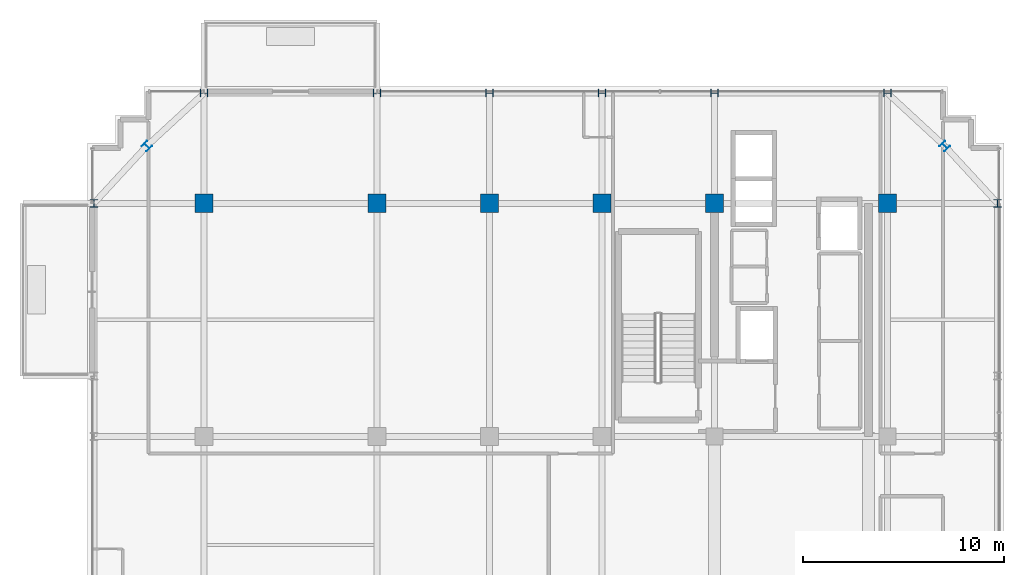
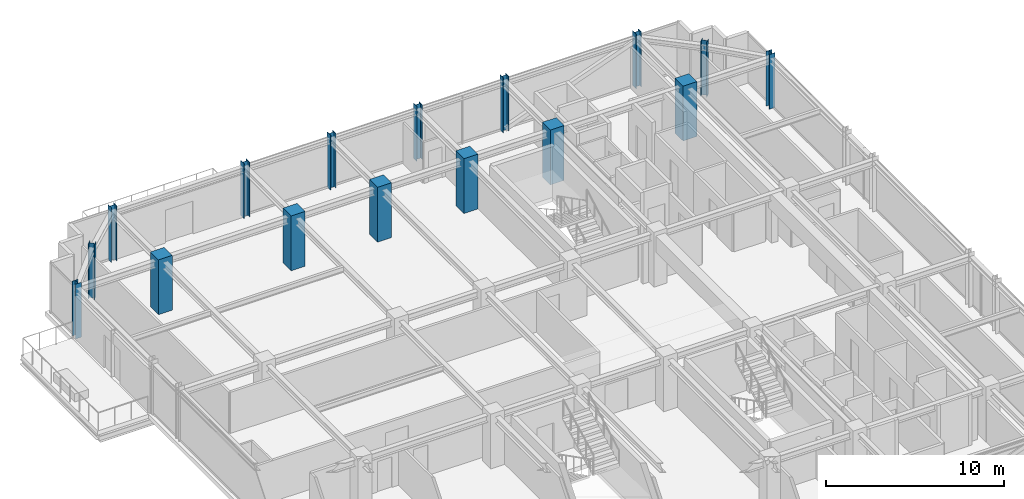
# One storey, part 3 of 34: 16 columns.
"""IFC4 building model written with IfcOpenShell, lengths in metres."""

from ifc_helpers import new_model, si_unit, direction, frame, origin, origin_2d, place, context, subcontext, project, spatial, rectangle, i_section, extrude, source, transform, mapped, material, material_profile, profile_set, type_object, element, save


model = new_model("IFC4")

# Units and contexts
model_context = context("Model", 3, precision=1e-05, world=origin(), true_north=direction((0.0, 1.0)))
body_context = subcontext(model_context, "Body", "Model", "MODEL_VIEW")
ifc_project = project(units=[si_unit("LENGTHUNIT", "METRE"), si_unit("AREAUNIT", "SQUARE_METRE"), si_unit("VOLUMEUNIT", "CUBIC_METRE"), si_unit("PLANEANGLEUNIT", "RADIAN"), si_unit("MASSUNIT", "GRAM", prefix="KILO")], contexts=[model_context])

# Site, building, storey
site_placement = place(None, origin())
site = spatial("IfcSite", under=ifc_project, at=site_placement, CompositionType="ELEMENT")
building_placement = place(site_placement, origin())
building = spatial("IfcBuilding", under=site, at=building_placement, Name="Nahalor Promenade Grand Hotel", CompositionType="ELEMENT")
storey_placement = place(building_placement, frame((0.0, 0.0, 334.75)))
storey = spatial("IfcBuildingStorey", under=building, at=storey_placement, Name="L86", CompositionType="ELEMENT", Elevation=334.75)

# Columns
ifc_material_1 = material(Name="Concrete B-50 (C40/50)", Category="concrete")
ifc_material_profile_1 = material_profile(ifc_material_1, rectangle(XDim=0.9, YDim=0.9, at=origin_2d()), Name="RC 900x900")
ifc_profile_set_1 = profile_set([ifc_material_profile_1], Name="Concrete B-50 (C40/50)")
column_type_1 = type_object("IfcColumnType", Name="Col-RC-900", PredefinedType="COLUMN", material=ifc_profile_set_1)
shared_shape_1 = source(origin(), body_context, "Body", "SweptSolid", [
    extrude(rectangle(XDim=0.9, YDim=0.9, at=origin_2d()), origin(), (0.0, 0.0, 1.0), 3.7548828125),
])
for number, where, z_axis, x_axis, name in (
    (1, (-17.0, 17.0, 0.0), (0.0, 0.0, 1.0), (1.0, 0.0, 0.0), "COL-L86-I03"),
    (2, (-8.39990234375, 17.0, 0.0), (0.0, 0.0, 1.0), (1.0, 0.0, 0.0), "COL-L86-I13"),
    (3, (-2.800048828125, 17.0, 0.0), (0.0, 0.0, 1.0), (1.0, 0.0, 0.0), "COL-L86-I23"),
    (4, (2.800048828125, 17.0, 0.0), (0.0, 0.0, 1.0), (1.0, 0.0, 0.0), "COL-L86-I33"),
    (5, (8.39990234375, 17.0, 0.0), (0.0, 0.0, 1.0), (1.0, 0.0, 0.0), "COL-L86-I43"),
    (6, (17.0, 17.0, 0.0), (0.0, 0.0, 1.0), (1.0, 0.0, 0.0), "COL-L86-I53"),
):
    element("IfcColumn", number, at=place(storey_placement, frame(where, z_axis=z_axis, x_axis=x_axis)), inside=storey, type_object=column_type_1, Name=name, PredefinedType="COLUMN", context=body_context, shape_type="MappedRepresentation", body=[
        mapped(shared_shape_1, transform((0.0, 0.0, 0.0), scale=1.0)),
    ])
ifc_material_2 = material(Name="Steel S355JR", Category="steel")
ifc_material_profile_2 = material_profile(ifc_material_2, i_section(OverallWidth=0.374, OverallDepth=0.374, WebThickness=0.0144, FlangeThickness=0.0229, at=origin_2d()), Name="HD 360x262")
ifc_profile_set_2 = profile_set([ifc_material_profile_2], Name="Steel S355JR")
column_type_2 = type_object("IfcColumnType", Name="Col-Steel-HD262", PredefinedType="COLUMN", material=ifc_profile_set_2)
shared_shape_2 = source(origin(), body_context, "Body", "SweptSolid", [
    extrude(i_section(OverallWidth=0.374, OverallDepth=0.374, WebThickness=0.0144, FlangeThickness=0.0229, at=origin_2d()), origin(), (0.0, 0.0, 1.0), 3.7548828125),
])
for number, where, z_axis, x_axis, name in (
    (7, (-22.47998046875, 17.0, 0.0), (0.0, 0.0, 1.0), (1.0, 0.0, 0.0), "COL-L86-PW-W5"),
    (8, (22.47998046875, 17.0, 0.0), (0.0, 0.0, 1.0), (1.0, 0.0, 0.0), "COL-L86-PW-E5"),
    (9, (-17.0, 22.47998046875, 0.0), (0.0, 0.0, 1.0), (0.0, 1.0, 0.0), "COL-L86-PN-N0"),
    (10, (-8.39990234375, 22.47998046875, 0.0), (0.0, 0.0, 1.0), (0.0, 1.0, 0.0), "COL-L86-PN-N1"),
    (11, (-2.800048828125, 22.47998046875, 0.0), (0.0, 0.0, 1.0), (0.0, 1.0, 0.0), "COL-L86-PN-N2"),
    (12, (2.800048828125, 22.47998046875, 0.0), (0.0, 0.0, 1.0), (0.0, 1.0, 0.0), "COL-L86-PN-N3"),
    (13, (8.39990234375, 22.47998046875, 0.0), (0.0, 0.0, 1.0), (0.0, 1.0, 0.0), "COL-L86-PN-N4"),
    (14, (17.0, 22.47998046875, 0.0), (0.0, 0.0, 1.0), (0.0, 1.0, 0.0), "COL-L86-PN-N5"),
    (15, (-19.85009765625, 19.85009765625, 0.0), (0.0, 0.0, 1.0), (0.707106781187, 0.707106781187, 0.0), "COL-L86-CRN-NW"),
    (16, (19.85009765625, 19.85009765625, 0.0), (0.0, 0.0, 1.0), (0.707106781187, 0.707106781187, 0.0), "COL-L86-CRN-NE"),
):
    element("IfcColumn", number, at=place(storey_placement, frame(where, z_axis=z_axis, x_axis=x_axis)), inside=storey, type_object=column_type_2, Name=name, PredefinedType="COLUMN", context=body_context, shape_type="MappedRepresentation", body=[
        mapped(shared_shape_2, transform((0.0, 0.0, 0.0), scale=1.0)),
    ])

save(model, "model.ifc")
